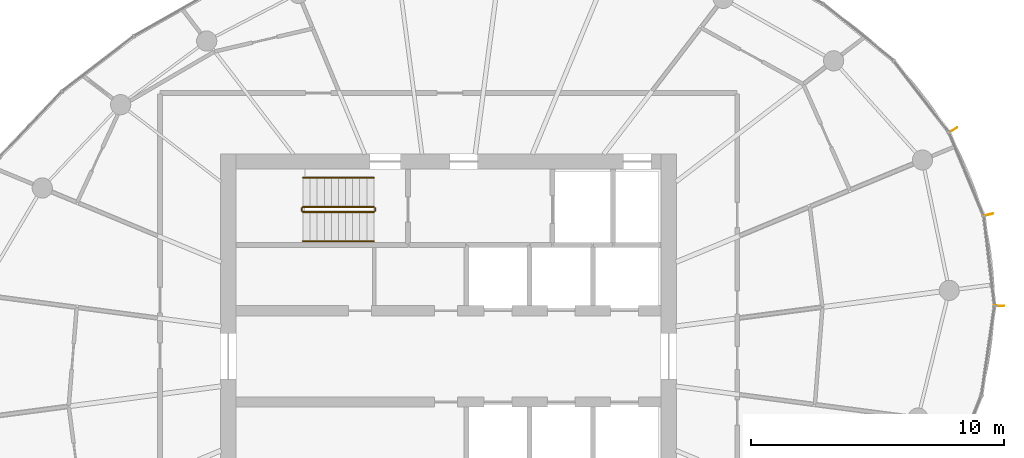
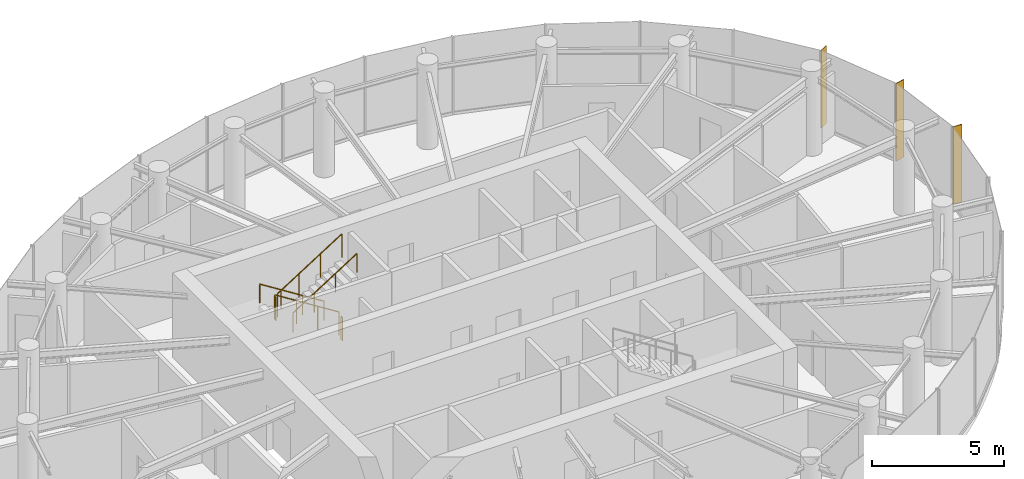
# One storey, part 13 of 13: 6 railings, 3 shading devices.
"""IFC4 building model written with IfcOpenShell, lengths in metres."""

from ifc_helpers import new_model, si_unit, direction, frame, origin, origin_2d, place, context, subcontext, project, spatial, rectangle, circle, extrude, source, transform, mapped, material, material_profile, profile_set, type_object, element, save


model = new_model("IFC4")

# Units and contexts
model_context = context("Model", 3, precision=1e-05, world=origin(), true_north=direction((0.0, 1.0)))
body_context = subcontext(model_context, "Body", "Model", "MODEL_VIEW")
ifc_project = project(units=[si_unit("LENGTHUNIT", "METRE"), si_unit("AREAUNIT", "SQUARE_METRE"), si_unit("VOLUMEUNIT", "CUBIC_METRE"), si_unit("PLANEANGLEUNIT", "RADIAN"), si_unit("MASSUNIT", "GRAM", prefix="KILO")], contexts=[model_context])

# Site, building, storey
site_placement = place(None, origin())
site = spatial("IfcSite", under=ifc_project, at=site_placement, CompositionType="ELEMENT")
building_placement = place(site_placement, origin())
building = spatial("IfcBuilding", under=site, at=building_placement, Name="Spindrift Exchange Tower", CompositionType="ELEMENT")
storey_placement = place(building_placement, frame((0.0, 0.0, 257.89990234375)))
storey = spatial("IfcBuildingStorey", under=building, at=storey_placement, Name="L63", CompositionType="ELEMENT", Elevation=257.89990234375)

# Railings
ifc_material_1 = material(Name="Steel balustrade", Category="steel")
railing_type_1 = type_object("IfcRailingType", Name="RL-STAIR-GUARD", PredefinedType="GUARDRAIL", material=ifc_material_1)
railing_1_placement = place(storey_placement, frame((49.050048828125, 53.89990234375, 0.177490234375)))
element("IfcRailing", 1, at=railing_1_placement, inside=storey, type_object=railing_type_1, Name="L63 ST1 stair guard 1", PredefinedType="GUARDRAIL", context=body_context, shape_type="SweptSolid", body=[
    extrude(circle(Radius=0.02392578125, at=origin_2d()), frame((0.0, 0.0, 1.076171875), z_axis=(-0.844908973607, 0.0, 0.534910110503), x_axis=(0.0, -1.0, 0.0)), (0.0, 0.0, 1.0), 3.31396484375),
    extrude(circle(Radius=0.02099609375, at=origin_2d()), origin(), (0.0, 0.0, 1.0), 1.052001953125),
    extrude(circle(Radius=0.02099609375, at=origin_2d()), frame((-0.933349609375, 0.0, 0.5908203125)), (0.0, 0.0, 1.0), 1.052001953125),
    extrude(circle(Radius=0.02099609375, at=origin_2d()), frame((-1.86669921875, 0.0, 1.181884765625)), (0.0, 0.0, 1.0), 1.052001953125),
    extrude(circle(Radius=0.02099609375, at=origin_2d()), frame((-2.800048828125, 0.0, 1.772705078125)), (0.0, 0.0, 1.0), 1.052001953125),
])
railing_2_placement = place(storey_placement, frame((46.199951171875, 53.85009765625, 1.9501953125)))
element("IfcRailing", 2, at=railing_2_placement, inside=storey, type_object=railing_type_1, Name="L63 ST1 stair guard 2", PredefinedType="GUARDRAIL", context=body_context, shape_type="SweptSolid", body=[
    extrude(circle(Radius=0.02392578125, at=origin_2d()), frame((0.0, 0.0, 1.076171875), z_axis=(0.0, -1.0, 0.0), x_axis=(1.0, 0.0, 0.0)), (0.0, 0.0, 1.0), 0.10009765625),
    extrude(circle(Radius=0.02099609375, at=origin_2d()), origin(), (0.0, 0.0, 1.0), 1.052001953125),
    extrude(circle(Radius=0.02099609375, at=origin_2d()), frame((0.0, -0.10009765625, 0.0)), (0.0, 0.0, 1.0), 1.052001953125),
])
railing_3_placement = place(storey_placement, frame((46.25, 53.699951171875, 2.12744140625)))
element("IfcRailing", 3, at=railing_3_placement, inside=storey, type_object=railing_type_1, Name="L63 ST1 stair guard 3", PredefinedType="GUARDRAIL", context=body_context, shape_type="SweptSolid", body=[
    extrude(circle(Radius=0.02392578125, at=origin_2d()), frame((0.0, 0.0, 1.076171875), z_axis=(0.844908973607, 0.0, 0.534910110503), x_axis=(0.0, 1.0, 0.0)), (0.0, 0.0, 1.0), 3.31396484375),
    extrude(circle(Radius=0.02099609375, at=origin_2d()), origin(), (0.0, 0.0, 1.0), 1.052001953125),
    extrude(circle(Radius=0.02099609375, at=origin_2d()), frame((0.933349609375, 0.0, 0.5908203125)), (0.0, 0.0, 1.0), 1.052001953125),
    extrude(circle(Radius=0.02099609375, at=origin_2d()), frame((1.86669921875, 0.0, 1.181884765625)), (0.0, 0.0, 1.0), 1.052001953125),
    extrude(circle(Radius=0.02099609375, at=origin_2d()), frame((2.800048828125, 0.0, 1.772705078125)), (0.0, 0.0, 1.0), 1.052001953125),
])
railing_4_placement = place(storey_placement, frame((49.10009765625, 53.85009765625, 0.0)))
element("IfcRailing", 4, at=railing_4_placement, inside=storey, type_object=railing_type_1, Name="L63 ST1 stair guard 4", PredefinedType="GUARDRAIL", context=body_context, shape_type="SweptSolid", body=[
    extrude(circle(Radius=0.02392578125, at=origin_2d()), frame((0.0, 0.0, 1.076171875), z_axis=(0.0, -1.0, 0.0), x_axis=(1.0, 0.0, 0.0)), (0.0, 0.0, 1.0), 0.10009765625),
    extrude(circle(Radius=0.02099609375, at=origin_2d()), origin(), (0.0, 0.0, 1.0), 1.052001953125),
    extrude(circle(Radius=0.02099609375, at=origin_2d()), frame((0.0, -0.10009765625, 0.0)), (0.0, 0.0, 1.0), 1.052001953125),
])
ifc_material_2 = material(Name="Steel tubular handrail", Category="steel")
railing_type_2 = type_object("IfcRailingType", Name="RL-STAIR-HAND", PredefinedType="HANDRAIL", material=ifc_material_2)
railing_5_placement = place(storey_placement, frame((49.050048828125, 55.050048828125, 0.177490234375)))
element("IfcRailing", 5, at=railing_5_placement, inside=storey, type_object=railing_type_2, Name="L63 ST1 stair handrail 1", PredefinedType="HANDRAIL", context=body_context, shape_type="SweptSolid", body=[
    extrude(circle(Radius=0.02392578125, at=origin_2d()), frame((0.0, 0.0, 0.8759765625), z_axis=(-0.844908973607, 0.0, 0.534910110503), x_axis=(0.0, -1.0, 0.0)), (0.0, 0.0, 1.0), 3.31396484375),
    extrude(circle(Radius=0.02099609375, at=origin_2d()), origin(), (0.0, 0.0, 1.0), 0.851806640625),
    extrude(circle(Radius=0.02099609375, at=origin_2d()), frame((-0.933349609375, 0.0, 0.5908203125)), (0.0, 0.0, 1.0), 0.851806640625),
    extrude(circle(Radius=0.02099609375, at=origin_2d()), frame((-1.86669921875, 0.0, 1.181884765625)), (0.0, 0.0, 1.0), 0.851806640625),
    extrude(circle(Radius=0.02099609375, at=origin_2d()), frame((-2.800048828125, 0.0, 1.772705078125)), (0.0, 0.0, 1.0), 0.851806640625),
])
railing_6_placement = place(storey_placement, frame((46.25, 52.550048828125, 2.12744140625)))
element("IfcRailing", 6, at=railing_6_placement, inside=storey, type_object=railing_type_2, Name="L63 ST1 stair handrail 2", PredefinedType="HANDRAIL", context=body_context, shape_type="SweptSolid", body=[
    extrude(circle(Radius=0.02392578125, at=origin_2d()), frame((0.0, 0.0, 0.8759765625), z_axis=(0.844908973607, 0.0, 0.534910110503), x_axis=(0.0, 1.0, 0.0)), (0.0, 0.0, 1.0), 3.31396484375),
    extrude(circle(Radius=0.02099609375, at=origin_2d()), origin(), (0.0, 0.0, 1.0), 0.851806640625),
    extrude(circle(Radius=0.02099609375, at=origin_2d()), frame((0.933349609375, 0.0, 0.5908203125)), (0.0, 0.0, 1.0), 0.851806640625),
    extrude(circle(Radius=0.02099609375, at=origin_2d()), frame((1.86669921875, 0.0, 1.181884765625)), (0.0, 0.0, 1.0), 0.851806640625),
    extrude(circle(Radius=0.02099609375, at=origin_2d()), frame((2.800048828125, 0.0, 1.772705078125)), (0.0, 0.0, 1.0), 0.851806640625),
])

# Shading devices
ifc_material_3 = material(Name="Bronze anodised aluminium", Category="aluminium")
ifc_material_profile = material_profile(ifc_material_3, rectangle(XDim=0.030029296875, YDim=0.39990234375, at=origin_2d()), Name="WIND FIN 30X400")
ifc_profile_set = profile_set([ifc_material_profile], Name="Bronze anodised aluminium")
shading_device_type = type_object("IfcShadingDeviceType", Name="WIND FIN 30X400", PredefinedType="USERDEFINED", material=ifc_profile_set)
shared_shape = source(origin(), body_context, "Body", "SweptSolid", [
    extrude(rectangle(XDim=0.030029296875, YDim=0.39990234375, at=origin_2d()), origin(), (0.0, 0.0, 1.0), 3.580078125),
])
for number, where, z_axis, x_axis, name in (
    (7, (73.308837890625, 53.588623046875, 0.0), (0.0, 0.0, 1.0), (-0.253690415938, 0.967285466065, 0.0), "L63 wind fin 4"),
    (8, (71.91748046875, 56.93408203125, 0.0), (0.0, 0.0, 1.0), (-0.502108567065, 0.864804594622, 0.0), "L63 wind fin 5"),
    (9, (73.738525390625, 49.9912109375, 0.0), (0.0, 0.0, 1.0), (0.0130337498, 0.999915057075, 0.0), "L63 wind fin 6"),
):
    element("IfcShadingDevice", number, at=place(storey_placement, frame(where, z_axis=z_axis, x_axis=x_axis)), inside=storey, type_object=shading_device_type, Name=name, ObjectType="FIN", PredefinedType="USERDEFINED", context=body_context, shape_type="MappedRepresentation", body=[
        mapped(shared_shape, transform((0.0, 0.0, 0.0), scale=1.0)),
    ])

save(model, "model.ifc")
